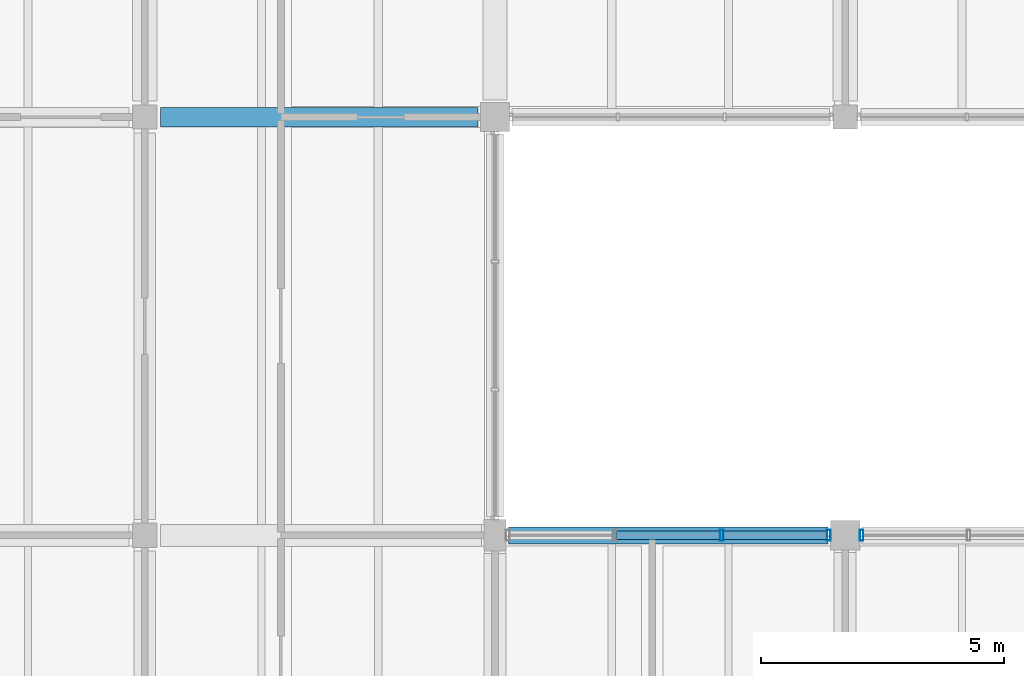
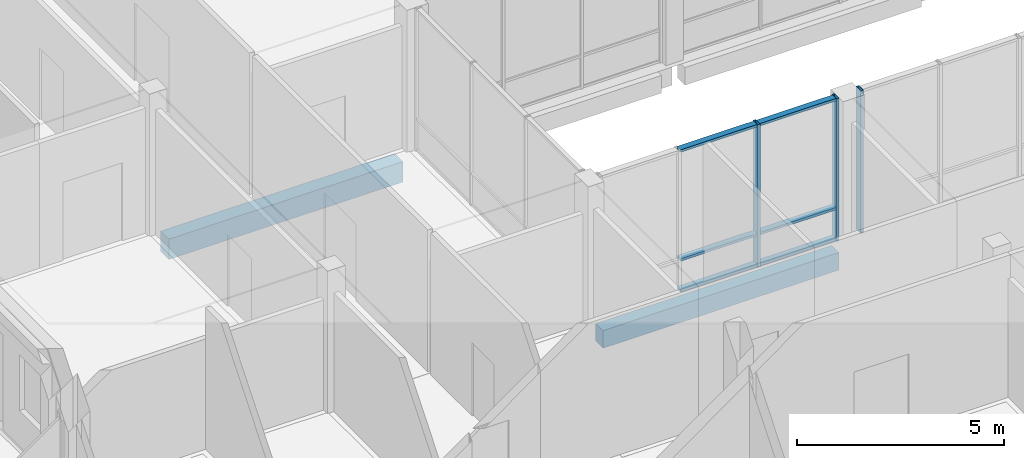
# One storey, part 15 of 104: 9 members, 2 beams, 2 elements without a shape of their own.
"""IFC4 building model written with IfcOpenShell, lengths in metres."""

from ifc_helpers import new_model, si_unit, direction, frame, origin, origin_2d, place, context, subcontext, project, spatial, rectangle, hollow_rectangle, extrude, material, material_profile, profile_set, type_object, element, aggregate, save


model = new_model("IFC4")

# Units and contexts
model_context = context("Model", 3, precision=1e-05, world=origin(), true_north=direction((0.0, 1.0)))
body_context = subcontext(model_context, "Body", "Model", "MODEL_VIEW")
ifc_project = project(units=[si_unit("LENGTHUNIT", "METRE"), si_unit("AREAUNIT", "SQUARE_METRE"), si_unit("VOLUMEUNIT", "CUBIC_METRE"), si_unit("PLANEANGLEUNIT", "RADIAN"), si_unit("MASSUNIT", "GRAM", prefix="KILO")], contexts=[model_context])

# Site, building, storey
site_placement = place(None, origin())
site = spatial("IfcSite", under=ifc_project, at=site_placement, CompositionType="ELEMENT")
building_placement = place(site_placement, origin())
building = spatial("IfcBuilding", under=site, at=building_placement, Name="Hawrajan Terrace Health Centre", CompositionType="ELEMENT")
storey_placement = place(building_placement, origin())
storey = spatial("IfcBuildingStorey", under=building, at=storey_placement, Name="L00", CompositionType="ELEMENT", Elevation=0.0)

# Curtain wall, members
ifc_material_1 = material(Name="Anodized bronze aluminium and low-E solar glazing", Category="aluminium")
curtain_wall_type_1 = type_object("IfcCurtainWallType", Name="CW_Court_SeriesB2", PredefinedType="USERDEFINED", material=ifc_material_1)
curtain_wall_1_placement = place(storey_placement, origin())
curtain_wall_1 = element("IfcCurtainWall", 1, at=curtain_wall_1_placement, inside=storey, type_object=curtain_wall_type_1, Name="Curtain wall CW-L00-005", ObjectType="UNITISED CURTAIN WALL", PredefinedType="USERDEFINED")
ifc_material_2 = material(Name="Anodized bronze aluminium 6063-T6", Category="aluminium")
ifc_material_profile_1 = material_profile(ifc_material_2, hollow_rectangle(XDim=0.074951171875, YDim=0.219970703125, WallThickness=0.0048828125, at=origin_2d()), Name="CW MUL 75x220")
ifc_profile_set_1 = profile_set([ifc_material_profile_1], Name="Anodized bronze aluminium 6063-T6")
member_type_1 = type_object("IfcMemberType", Name="CWMullion_75x220", PredefinedType="MULLION", material=ifc_profile_set_1)
member_1_placement = place(storey_placement, frame((30.862548828125, 18.60009765625, -0.0048828125), z_axis=(0.0, 0.0, 1.0), x_axis=(1.0, 0.0, 0.0)))
member_1 = element("IfcMember", 2, at=member_1_placement, type_object=member_type_1, Name="Mullion CW-L00-005-M3", PredefinedType="MULLION", context=body_context, shape_type="SweptSolid", body=[
    extrude(hollow_rectangle(XDim=0.074951171875, YDim=0.219970703125, WallThickness=0.0048828125, at=origin_2d()), origin(), (0.0, 0.0, 1.0), 4.2099609375),
])
member_2_placement = place(storey_placement, frame((33.0625, 18.60009765625, -0.0048828125), z_axis=(0.0, 0.0, 1.0), x_axis=(1.0, 0.0, 0.0)))
member_2 = element("IfcMember", 3, at=member_2_placement, type_object=member_type_1, Name="Mullion CW-L00-005-M4", PredefinedType="MULLION", context=body_context, shape_type="SweptSolid", body=[
    extrude(hollow_rectangle(XDim=0.074951171875, YDim=0.219970703125, WallThickness=0.0048828125, at=origin_2d()), origin(), (0.0, 0.0, 1.0), 4.2099609375),
])

# Curtain wall, member
curtain_wall_type_2 = type_object("IfcCurtainWallType", Name="CW_Hall_SeriesD2", PredefinedType="USERDEFINED", material=ifc_material_1)
curtain_wall_2_placement = place(storey_placement, origin())
curtain_wall_2 = element("IfcCurtainWall", 4, at=curtain_wall_2_placement, inside=storey, type_object=curtain_wall_type_2, Name="Curtain wall CW-L00-011", ObjectType="UNITISED CURTAIN WALL", PredefinedType="USERDEFINED")
member_3_placement = place(storey_placement, frame((33.737548828125, 18.60009765625, -0.0048828125), z_axis=(0.0, 0.0, 1.0), x_axis=(1.0, 0.0, 0.0)))
member_3 = element("IfcMember", 5, at=member_3_placement, type_object=member_type_1, Name="Mullion CW-L00-011-M1", PredefinedType="MULLION", context=body_context, shape_type="SweptSolid", body=[
    extrude(hollow_rectangle(XDim=0.074951171875, YDim=0.219970703125, WallThickness=0.0048828125, at=origin_2d()), origin(), (0.0, 0.0, 1.0), 4.2099609375),
])
aggregate(curtain_wall_2, [member_3])

# Member
ifc_material_profile_2 = material_profile(ifc_material_2, hollow_rectangle(XDim=0.074951171875, YDim=0.169921875, WallThickness=0.00439453125, at=origin_2d()), Name="CW TRN 75x170")
ifc_profile_set_2 = profile_set([ifc_material_profile_2], Name="Anodized bronze aluminium 6063-T6")
member_type_2 = type_object("IfcMemberType", Name="CWTransom_75x170", PredefinedType="USERDEFINED", material=ifc_profile_set_2)
member_4_placement = place(storey_placement, frame((28.694091796875, 18.60009765625, 0.03759765625), z_axis=(1.0, 0.0, 0.0), x_axis=(0.0, 0.0, 1.0)))
member_4 = element("IfcMember", 6, at=member_4_placement, type_object=member_type_2, Name="Transom CW-L00-005-T2-1", ObjectType="TRANSOM", PredefinedType="USERDEFINED", context=body_context, shape_type="SweptSolid", body=[
    extrude(hollow_rectangle(XDim=0.074951171875, YDim=0.169921875, WallThickness=0.00439453125, at=origin_2d()), origin(), (0.0, 0.0, 1.0), 2.136962890625),
])

member_5_placement = place(storey_placement, frame((28.694091796875, 18.60009765625, 0.949951171875), z_axis=(1.0, 0.0, 0.0), x_axis=(0.0, 0.0, 1.0)))
member_5 = element("IfcMember", 7, at=member_5_placement, type_object=member_type_2, Name="Transom CW-L00-005-T2-2", ObjectType="TRANSOM", PredefinedType="USERDEFINED", context=body_context, shape_type="SweptSolid", body=[
    extrude(hollow_rectangle(XDim=0.074951171875, YDim=0.169921875, WallThickness=0.00439453125, at=origin_2d()), origin(), (0.0, 0.0, 1.0), 2.136962890625),
])

member_6_placement = place(storey_placement, frame((28.694091796875, 18.60009765625, 4.16259765625), z_axis=(1.0, 0.0, 0.0), x_axis=(0.0, 0.0, 1.0)))
member_6 = element("IfcMember", 8, at=member_6_placement, type_object=member_type_2, Name="Transom CW-L00-005-T2-3", ObjectType="TRANSOM", PredefinedType="USERDEFINED", context=body_context, shape_type="SweptSolid", body=[
    extrude(hollow_rectangle(XDim=0.074951171875, YDim=0.169921875, WallThickness=0.00439453125, at=origin_2d()), origin(), (0.0, 0.0, 1.0), 2.136962890625),
])

member_7_placement = place(storey_placement, frame((30.89404296875, 18.60009765625, 0.03759765625), z_axis=(1.0, 0.0, 0.0), x_axis=(0.0, 0.0, 1.0)))
member_7 = element("IfcMember", 9, at=member_7_placement, type_object=member_type_2, Name="Transom CW-L00-005-T3-1", ObjectType="TRANSOM", PredefinedType="USERDEFINED", context=body_context, shape_type="SweptSolid", body=[
    extrude(hollow_rectangle(XDim=0.074951171875, YDim=0.169921875, WallThickness=0.00439453125, at=origin_2d()), origin(), (0.0, 0.0, 1.0), 2.136962890625),
])

member_8_placement = place(storey_placement, frame((30.89404296875, 18.60009765625, 0.949951171875), z_axis=(1.0, 0.0, 0.0), x_axis=(0.0, 0.0, 1.0)))
member_8 = element("IfcMember", 10, at=member_8_placement, type_object=member_type_2, Name="Transom CW-L00-005-T3-2", ObjectType="TRANSOM", PredefinedType="USERDEFINED", context=body_context, shape_type="SweptSolid", body=[
    extrude(hollow_rectangle(XDim=0.074951171875, YDim=0.169921875, WallThickness=0.00439453125, at=origin_2d()), origin(), (0.0, 0.0, 1.0), 2.136962890625),
])

member_9_placement = place(storey_placement, frame((30.89404296875, 18.60009765625, 4.16259765625), z_axis=(1.0, 0.0, 0.0), x_axis=(0.0, 0.0, 1.0)))
member_9 = element("IfcMember", 11, at=member_9_placement, type_object=member_type_2, Name="Transom CW-L00-005-T3-3", ObjectType="TRANSOM", PredefinedType="USERDEFINED", context=body_context, shape_type="SweptSolid", body=[
    extrude(hollow_rectangle(XDim=0.074951171875, YDim=0.169921875, WallThickness=0.00439453125, at=origin_2d()), origin(), (0.0, 0.0, 1.0), 2.136962890625),
])

aggregate(curtain_wall_1, [member_1, member_2, member_4, member_5, member_6, member_7, member_8, member_9])

# Beams
ifc_material_3 = material(Name="Concrete C40/50", Category="concrete")
ifc_material_profile_3 = material_profile(ifc_material_3, rectangle(XDim=0.39990234375, YDim=0.60009765625, at=origin_2d()), Name="RC BM 400x600")
ifc_profile_set_3 = profile_set([ifc_material_profile_3], Name="Concrete C40/50")
beam_type_1 = type_object("IfcBeamType", Name="RCGirder_400x600", PredefinedType="BEAM", material=ifc_profile_set_3)
beam_1_placement = place(storey_placement, frame((19.324951171875, 27.199951171875, -0.60009765625), z_axis=(1.0, 0.0, 0.0), x_axis=(0.0, 1.0, 0.0)))
element("IfcBeam", 12, at=beam_1_placement, inside=storey, type_object=beam_type_1, Name="Beam BM-X-L00-W-03-Y4", PredefinedType="BEAM", context=body_context, shape_type="SweptSolid", body=[
    extrude(rectangle(XDim=0.39990234375, YDim=0.60009765625, at=origin_2d()), origin(), (0.0, 0.0, 1.0), 6.525146484375),
])
ifc_material_profile_4 = material_profile(ifc_material_3, rectangle(XDim=0.35009765625, YDim=0.52001953125, at=origin_2d()), Name="RC SP 350x520")
ifc_profile_set_4 = profile_set([ifc_material_profile_4], Name="Concrete C40/50")
beam_type_2 = type_object("IfcBeamType", Name="RCSpandrel_350x520", PredefinedType="SPANDREL", material=ifc_profile_set_4)
beam_2_placement = place(storey_placement, frame((26.47509765625, 18.60009765625, -0.56005859375), z_axis=(1.0, 0.0, 0.0), x_axis=(0.0, 1.0, 0.0)))
element("IfcBeam", 13, at=beam_2_placement, inside=storey, type_object=beam_type_2, Name="Beam BM-X-L00-W-04-Y3", PredefinedType="SPANDREL", context=body_context, shape_type="SweptSolid", body=[
    extrude(rectangle(XDim=0.35009765625, YDim=0.52001953125, at=origin_2d()), origin(), (0.0, 0.0, 1.0), 6.574951171875),
])

save(model, "model.ifc")
